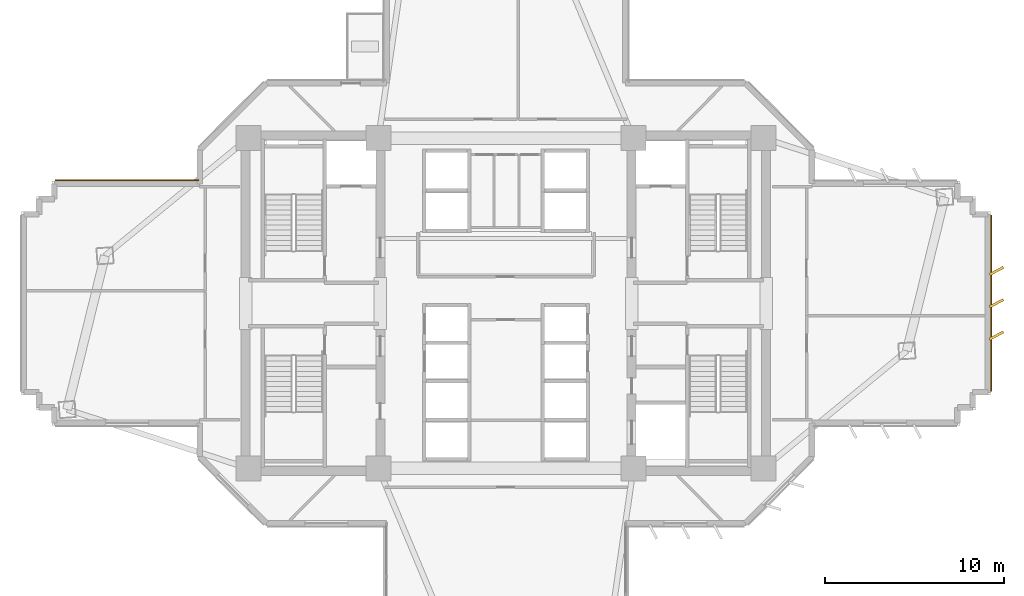
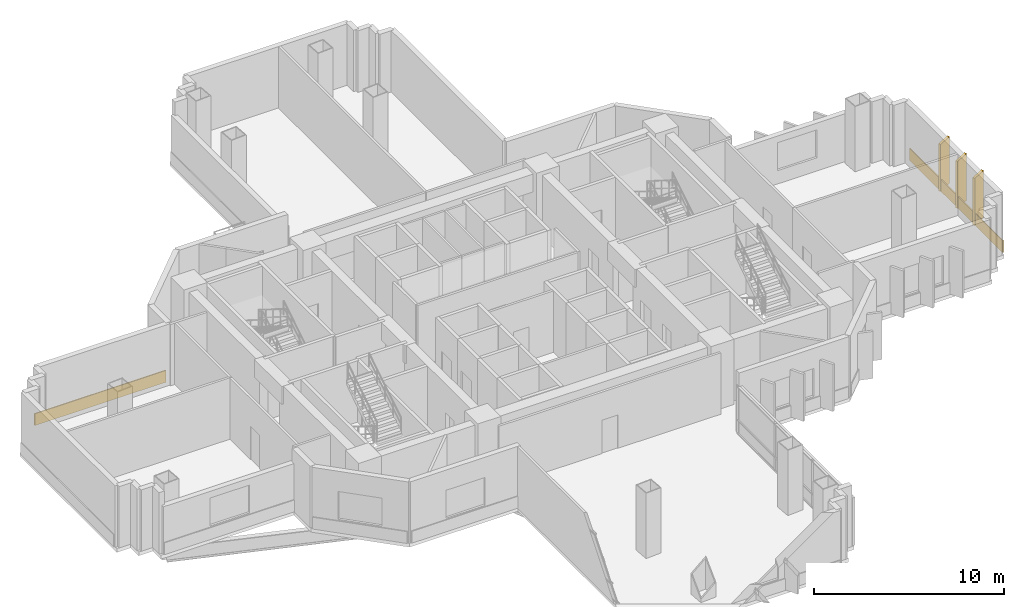
# One storey, part 12 of 14: 3 shading devices, 2 coverings.
"""IFC4 building model written with IfcOpenShell, lengths in metres."""

from ifc_helpers import new_model, si_unit, direction, frame, origin, origin_2d, place, context, subcontext, project, spatial, rectangle, extrude, source, transform, mapped, material, layer, layer_set, type_object, element, save


model = new_model("IFC4")

# Units and contexts
model_context = context("Model", 3, precision=1e-05, world=origin(), true_north=direction((0.0, 1.0)))
body_context = subcontext(model_context, "Body", "Model", "MODEL_VIEW")
ifc_project = project(units=[si_unit("LENGTHUNIT", "METRE"), si_unit("AREAUNIT", "SQUARE_METRE"), si_unit("VOLUMEUNIT", "CUBIC_METRE"), si_unit("PLANEANGLEUNIT", "RADIAN"), si_unit("MASSUNIT", "GRAM", prefix="KILO")], contexts=[model_context])

# Site, building, storey
site_placement = place(None, origin())
site = spatial("IfcSite", under=ifc_project, at=site_placement, CompositionType="ELEMENT")
building_placement = place(site_placement, origin())
building = spatial("IfcBuilding", under=site, at=building_placement, Name="Zahravan Cultural Tower", CompositionType="ELEMENT")
storey_placement = place(building_placement, frame((0.0, 0.0, 37.5)))
storey = spatial("IfcBuildingStorey", under=building, at=storey_placement, Name="L07", CompositionType="ELEMENT", Elevation=37.5)

# Covering
ifc_material_1 = material(Name="Terracotta ceramic cladding", Category="masonry")
ifc_layer = layer(ifc_material_1, 0.06005859375)
ifc_layer_set = layer_set([ifc_layer], Name="Terracotta ceramic cladding")
covering_type = type_object("IfcCoveringType", Name="COV-CLAD-TC60", PredefinedType="CLADDING", material=ifc_layer_set)
shared_shape_1 = source(origin(), body_context, "Body", "SweptSolid", [
    extrude(rectangle(XDim=8.0, YDim=0.06005859375, at=origin_2d()), origin(), (0.0, 0.0, 1.0), 0.760009765625),
])
covering_1_placement = place(storey_placement, frame((14.889892578125, 33.844970703125, 0.02001953125), z_axis=(0.0, 0.0, 1.0), x_axis=(1.0, 0.0, 0.0)))
element("IfcCovering", 1, at=covering_1_placement, inside=storey, type_object=covering_type, Name="L07 Terracotta Spandrel Cladding 37", PredefinedType="CLADDING", context=body_context, shape_type="MappedRepresentation", body=[
    mapped(shared_shape_1, transform((0.0, 0.0, 0.0), x_axis=(1.0, 0.0, 0.0), y_axis=(0.0, 1.0, 0.0), z_axis=(0.0, 0.0, 1.0), scale=1.0)),
])

# Shading devices
ifc_material_2 = material(Name="Architectural terracotta fin", Category="masonry")
shading_device_type = type_object("IfcShadingDeviceType", Name="SHD-FIN-880", PredefinedType="USERDEFINED", material=ifc_material_2)
shared_shape_2 = source(origin(), body_context, "Body", "SweptSolid", [
    extrude(rectangle(XDim=0.8798828125, YDim=0.139892578125, at=origin_2d()), origin(), (0.0, 0.0, 1.0), 3.030029296875),
])
for number, where, z_axis, x_axis, name in (
    (2, (63.330078125, 28.800048828125, 0.0498046875), (0.0, 0.0, 1.0), (0.882947592859, 0.469471562786, 0.0), "L07 Herringbone Terracotta Fin 04"),
    (3, (63.330078125, 27.0, 0.0498046875), (0.0, 0.0, 1.0), (0.882947592859, 0.469471562786, 0.0), "L07 Herringbone Terracotta Fin 05"),
    (4, (63.330078125, 25.199951171875, 0.0498046875), (0.0, 0.0, 1.0), (0.882947592859, 0.469471562786, 0.0), "L07 Herringbone Terracotta Fin 06"),
):
    element("IfcShadingDevice", number, at=place(storey_placement, frame(where, z_axis=z_axis, x_axis=x_axis)), inside=storey, type_object=shading_device_type, Name=name, ObjectType="FIN", PredefinedType="USERDEFINED", context=body_context, shape_type="MappedRepresentation", body=[
        mapped(shared_shape_2, transform((0.0, 0.0, 0.0), x_axis=(1.0, 0.0, 0.0), y_axis=(0.0, 1.0, 0.0), z_axis=(0.0, 0.0, 1.0), scale=1.0)),
    ])

# Covering
shared_shape_3 = source(origin(), body_context, "Body", "SweptSolid", [
    extrude(rectangle(XDim=9.820068359375, YDim=0.06005859375, at=origin_2d()), origin(), (0.0, 0.0, 1.0), 0.760009765625),
])
covering_2_placement = place(storey_placement, frame((63.044921875, 27.0, 0.02001953125), z_axis=(0.0, 0.0, 1.0), x_axis=(0.0, -1.0, 0.0)))
element("IfcCovering", 5, at=covering_2_placement, inside=storey, type_object=covering_type, Name="L07 Terracotta Spandrel Cladding 06", PredefinedType="CLADDING", context=body_context, shape_type="MappedRepresentation", body=[
    mapped(shared_shape_3, transform((0.0, 0.0, 0.0), x_axis=(1.0, 0.0, 0.0), y_axis=(0.0, 1.0, 0.0), z_axis=(0.0, 0.0, 1.0), scale=1.0)),
])

save(model, "model.ifc")
